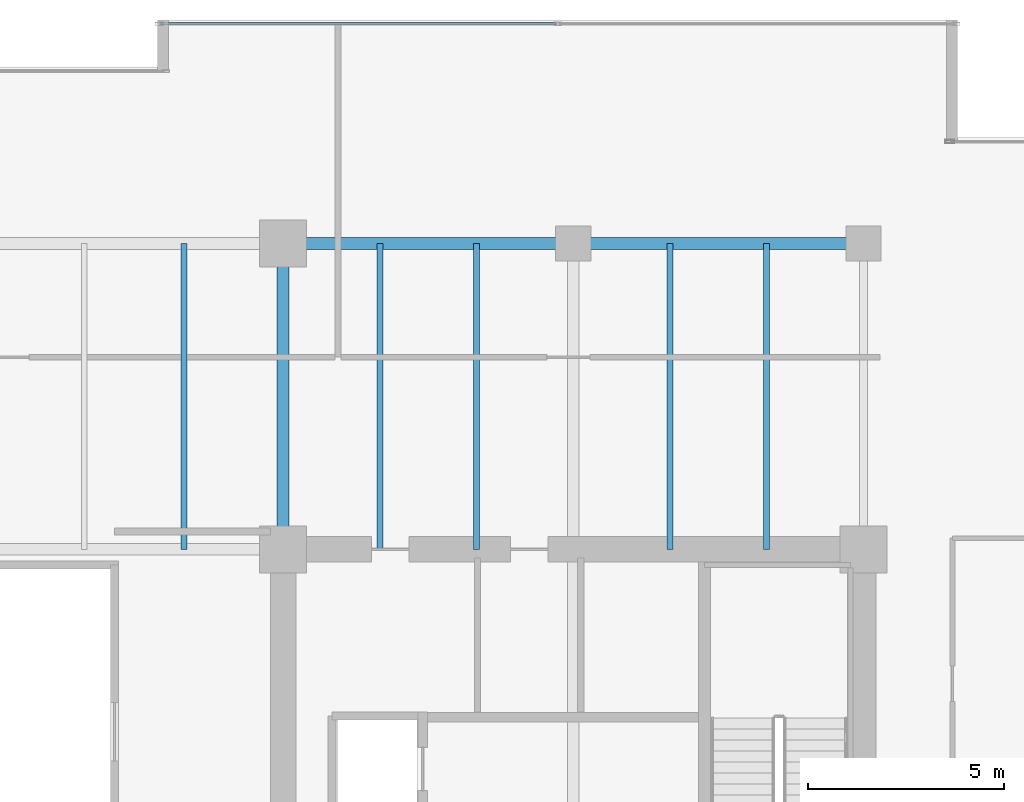
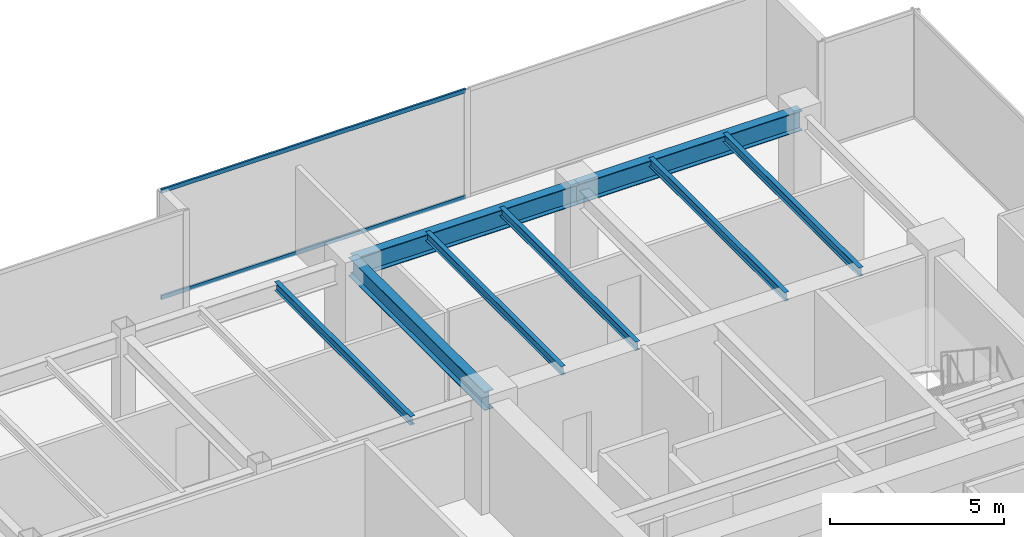
# One storey, part 19 of 30: 8 beams, 2 members, 1 element without a shape of its own.
"""IFC4 building model written with IfcOpenShell, lengths in metres."""

import ifcopenshell
import ifcopenshell.guid

model = None  # the IFC model being written
_history = None  # IfcOwnerHistory: only IFC2X3 demands one
_inside = {}  # id of a spatial element -> (the spatial element, [elements in it])
_under = {}  # id of a project, library or spatial element -> (it, [spatial elements below it])
_declared = {}  # id of a project -> (the project, [libraries it declares])
_typed = {}  # id of a type object -> (the type object, [elements of that type])
_made_of = {}  # id of a material, layer set ... -> (it, [elements and type objects made of it])


def new_model(schema):
    """Start an empty IFC model of exactly this schema.

    Asked for "IFC4X3", IfcOpenShell would pick the latest addendum, in which some entities
    have other attributes; the version numbers below select the first issue.
    IFC2X3 requires an IfcOwnerHistory on every rooted entity: one is made here for all.
    """
    global model, _history
    if schema == "IFC4X3":
        model = ifcopenshell.file(schema_version=(4, 3, 0, 0))
    else:
        model = ifcopenshell.file(schema=schema)
    _inside.clear()
    _under.clear()
    _declared.clear()
    _typed.clear()
    _made_of.clear()
    _history = None
    if model.schema == "IFC2X3":
        org = make("IfcOrganization", Name="unknown")
        user = make(
            "IfcPersonAndOrganization",
            ThePerson=make("IfcPerson", FamilyName="unknown"),
            TheOrganization=org,
        )
        app = make(
            "IfcApplication",
            ApplicationDeveloper=org,
            Version="unknown",
            ApplicationFullName="unknown",
            ApplicationIdentifier="unknown",
        )
        _history = make(
            "IfcOwnerHistory",
            OwningUser=user,
            OwningApplication=app,
            ChangeAction="ADDED",
            CreationDate=0,
        )
    return model


def make(cls, **values):
    """One entity of the class cls with the attributes given. An attribute that is None is left unset."""
    return model.create_entity(
        cls, **{name: value for name, value in values.items() if value is not None}
    )


def rooted(cls, **values):
    """An entity with a GlobalId (a new one), such as an element, a storey or a relation."""
    return make(cls, GlobalId=ifcopenshell.guid.new(), OwnerHistory=_history, **values)


def si_unit(unit_type, name, prefix=None):
    """IfcSIUnit, for example si_unit("LENGTHUNIT", "METRE", prefix="MILLI")."""
    return make("IfcSIUnit", UnitType=unit_type, Prefix=prefix, Name=name)


def assignment(units):
    """IfcUnitAssignment: the units of a project."""
    return None if units is None else make("IfcUnitAssignment", Units=units)


def point(xyz):
    """IfcCartesianPoint."""
    return None if xyz is None else make("IfcCartesianPoint", Coordinates=xyz)


def direction(xyz):
    """IfcDirection."""
    return None if xyz is None else make("IfcDirection", DirectionRatios=xyz)


def frame(location, z_axis=None, x_axis=None):
    """IfcAxis2Placement3D, a coordinate frame: its origin and axes. An axis left out is left unset."""
    return make(
        "IfcAxis2Placement3D",
        Location=point(location),
        Axis=direction(z_axis),
        RefDirection=direction(x_axis),
    )


def frame_2d(location, x_axis=None):
    """IfcAxis2Placement2D, a coordinate frame in the plane: its origin and x axis."""
    return make(
        "IfcAxis2Placement2D", Location=point(location), RefDirection=direction(x_axis)
    )


def origin():
    """The frame at (0, 0, 0) with its axes left unset."""
    return frame((0.0, 0.0, 0.0))


def origin_2d():
    """The frame at (0, 0) in the plane with its x axis left unset."""
    return frame_2d((0.0, 0.0))


def place(relative_to, where):
    """IfcLocalPlacement: puts the frame where relative to a parent placement (None: the world)."""
    return make(
        "IfcLocalPlacement", PlacementRelTo=relative_to, RelativePlacement=where
    )


def context(
    kind, dimensions, precision=None, world=None, true_north=None, identifier=None
):
    """IfcGeometricRepresentationContext, for example the 3D "Model" context."""
    return make(
        "IfcGeometricRepresentationContext",
        ContextIdentifier=identifier,
        ContextType=kind,
        CoordinateSpaceDimension=dimensions,
        Precision=precision,
        WorldCoordinateSystem=world,
        TrueNorth=true_north,
    )


def subcontext(parent, identifier, kind, view, scale=None):
    """IfcGeometricRepresentationSubContext, for example "Body" below "Model"."""
    return make(
        "IfcGeometricRepresentationSubContext",
        ContextIdentifier=identifier,
        ContextType=kind,
        ParentContext=parent,
        TargetScale=scale,
        TargetView=view,
    )


def project(units=None, contexts=None):
    """IfcProject with its units and contexts."""
    return rooted(
        "IfcProject",
        Name="project",
        RepresentationContexts=contexts,
        UnitsInContext=assignment(units),
    )


def spatial(cls, under=None, at=None, **own):
    """A site, building, storey or space (cls), placed at a placement, below another one or the project."""
    s = rooted(cls, ObjectPlacement=at, **own)
    if under is not None:
        _under.setdefault(under.id(), (under, []))[1].append(s)
    return s


def profile(cls, at=None, kind="AREA", **sizes):
    """A parametric profile (cls). Its sizes go by their IFC names, for example OverallWidth=200.0."""
    return make(cls, ProfileType=kind, Position=at, **sizes)


def hollow_rectangle(**sizes):
    """IfcRectangleHollowProfileDef."""
    return profile("IfcRectangleHollowProfileDef", **sizes)


def i_section(**sizes):
    """IfcIShapeProfileDef."""
    return profile("IfcIShapeProfileDef", **sizes)


def extrude(swept, where, along, depth):
    """IfcExtrudedAreaSolid: the profile swept, set in the frame where, extruded along a direction by depth."""
    return make(
        "IfcExtrudedAreaSolid",
        SweptArea=swept,
        Position=where,
        ExtrudedDirection=direction(along),
        Depth=depth,
    )


def shape(context_of_items, identifier, shape_type, items):
    """IfcShapeRepresentation: the items that make up one representation, for example the "Body"."""
    return make(
        "IfcShapeRepresentation",
        ContextOfItems=context_of_items,
        RepresentationIdentifier=identifier,
        RepresentationType=shape_type,
        Items=items,
    )


def source(mapping_origin, context_of_items, identifier, shape_type, items):
    """IfcRepresentationMap: a shape defined once, which mapped items show again and again."""
    return make(
        "IfcRepresentationMap",
        MappingOrigin=mapping_origin,
        MappedRepresentation=shape(context_of_items, identifier, shape_type, items),
    )


def transform(
    local_origin,
    x_axis=None,
    y_axis=None,
    z_axis=None,
    scale=None,
    scale2=None,
    scale3=None,
    uniform=True,
):
    """IfcCartesianTransformationOperator3D, or its non-uniform kind. x_axis, y_axis, z_axis: its Axis1, 2, 3."""
    if uniform:
        return make(
            "IfcCartesianTransformationOperator3D",
            Axis1=direction(x_axis),
            Axis2=direction(y_axis),
            LocalOrigin=point(local_origin),
            Scale=scale,
            Axis3=direction(z_axis),
        )
    return make(
        "IfcCartesianTransformationOperator3DnonUniform",
        Axis1=direction(x_axis),
        Axis2=direction(y_axis),
        LocalOrigin=point(local_origin),
        Scale=scale,
        Axis3=direction(z_axis),
        Scale2=scale2,
        Scale3=scale3,
    )


def mapped(mapping_source, mapping_target):
    """IfcMappedItem: shows the shape of a source again, moved by a transform."""
    return make(
        "IfcMappedItem", MappingSource=mapping_source, MappingTarget=mapping_target
    )


def material(Name=None, Category=None):
    """IfcMaterial."""
    return make("IfcMaterial", Name=Name, Category=Category)


def layer(
    of_material, thickness, ventilated=None, Name=None, Category=None, Priority=None
):
    """IfcMaterialLayer: one layer of a wall or slab, of a material (None: an air gap)."""
    return make(
        "IfcMaterialLayer",
        Material=of_material,
        LayerThickness=thickness,
        IsVentilated=ventilated,
        Name=Name,
        Category=Category,
        Priority=Priority,
    )


def layer_set(layers, Name=None):
    """IfcMaterialLayerSet."""
    return make("IfcMaterialLayerSet", MaterialLayers=layers, LayerSetName=Name)


def material_profile(
    of_material, cross_section, Name=None, Category=None, Priority=None
):
    """IfcMaterialProfile: a cross section and its material."""
    return make(
        "IfcMaterialProfile",
        Name=Name,
        Material=of_material,
        Profile=cross_section,
        Priority=Priority,
        Category=Category,
    )


def profile_set(profiles, Name=None, composite=None):
    """IfcMaterialProfileSet."""
    return make(
        "IfcMaterialProfileSet",
        Name=Name,
        MaterialProfiles=profiles,
        CompositeProfile=composite,
    )


def made_of(thing, what):
    """Note that an element or type object is made of a material, layer set ...; save() writes the relation."""
    if what is not None:
        _made_of.setdefault(what.id(), (what, []))[1].append(thing)
    return thing


def type_object(cls, material=None, **own):
    """A type object (cls), such as IfcWallType, which elements share."""
    return made_of(rooted(cls, **own), material)


def type_shapes(of_type, sources):
    """Give a type object the sources (RepresentationMaps) that its elements show as mapped items."""
    of_type.RepresentationMaps = sources


def element(
    cls,
    number,
    at=None,
    inside=None,
    cuts=None,
    type_object=None,
    material=None,
    context=None,
    identifier="Body",
    shape_type=None,
    held_by="IfcProductDefinitionShape",
    body=None,
    shapes=None,
    **own,
):
    """One element of the class cls, such as IfcWall. Its Tag is "e" and its number.

    at: its placement. inside: the storey or other place that contains it. cuts: it is an
    opening in that element (IfcRelVoidsElement). A single representation is given by context,
    identifier, shape_type and body (its items); several are given by shapes. held_by: the class
    of the entity that holds the representations. save() writes the other relations.
    """
    e = rooted(cls, Tag="e%d" % number, ObjectPlacement=at, **own)
    if body is not None:
        shapes = [shape(context, identifier, shape_type, body)]
    if shapes is not None:
        e.Representation = make(held_by, Representations=shapes)
    if inside is not None:
        _inside.setdefault(inside.id(), (inside, []))[1].append(e)
    if cuts is not None:
        rooted(
            "IfcRelVoidsElement", RelatingBuildingElement=cuts, RelatedOpeningElement=e
        )
    if type_object is not None:
        _typed.setdefault(type_object.id(), (type_object, []))[1].append(e)
    return made_of(e, material)


def aggregate(whole, parts):
    """IfcRelAggregates: a whole, such as a stair, and the parts it consists of."""
    return rooted("IfcRelAggregates", RelatingObject=whole, RelatedObjects=parts)


def save(model, path):
    """Write the relations noted so far, then the file.

    IfcRelAggregates (storeys below a building ...), IfcRelContainedInSpatialStructure (elements
    in a storey), IfcRelDefinesByType, IfcRelAssociatesMaterial and IfcRelDeclares: one each for
    every whole, place, type object, material and project.
    """
    for whole, parts in _under.values():
        aggregate(whole, parts)
    for where, things in _inside.values():
        rooted(
            "IfcRelContainedInSpatialStructure",
            RelatedElements=things,
            RelatingStructure=where,
        )
    for kind, things in _typed.values():
        rooted("IfcRelDefinesByType", RelatedObjects=things, RelatingType=kind)
    for what, things in _made_of.values():
        rooted("IfcRelAssociatesMaterial", RelatedObjects=things, RelatingMaterial=what)
    for by, libraries in _declared.values():
        rooted("IfcRelDeclares", RelatingContext=by, RelatedDefinitions=libraries)
    model.write(path)


model = new_model("IFC4")

# Units and contexts
model_context = context("Model", 3, precision=1e-05, world=origin(), true_north=direction((0.0, 1.0)))
body_context = subcontext(model_context, "Body", "Model", "MODEL_VIEW")
ifc_project = project(units=[si_unit("LENGTHUNIT", "METRE"), si_unit("AREAUNIT", "SQUARE_METRE"), si_unit("VOLUMEUNIT", "CUBIC_METRE"), si_unit("PLANEANGLEUNIT", "RADIAN"), si_unit("MASSUNIT", "GRAM", prefix="KILO")], contexts=[model_context])

# Site, building, storey
site_placement = place(None, origin())
site = spatial("IfcSite", under=ifc_project, at=site_placement, CompositionType="ELEMENT")
building_placement = place(site_placement, origin())
building = spatial("IfcBuilding", under=site, at=building_placement, Name="Haelvirn Gate Laboratories", CompositionType="ELEMENT")
storey_placement = place(building_placement, frame((0.0, 0.0, 142.0)))
storey = spatial("IfcBuildingStorey", under=building, at=storey_placement, Name="L34", CompositionType="ELEMENT", Elevation=142.0)

# Beams
ifc_material_1 = material(Name="Steel SM355", Category="steel")
ifc_material_profile_1 = material_profile(ifc_material_1, i_section(OverallWidth=0.300048828125, OverallDepth=0.64990234375, WebThickness=0.012939453125, FlangeThickness=0.02197265625, at=origin_2d()), Name="H-650x300x13x22")
ifc_profile_set_1 = profile_set([ifc_material_profile_1], Name="Steel SM355")
beam_type_1 = type_object("IfcBeamType", Name="BM-G-650", PredefinedType="BEAM", material=ifc_profile_set_1)
shared_shape_1 = source(origin(), body_context, "Body", "SweptSolid", [
    extrude(i_section(OverallWidth=0.300048828125, OverallDepth=0.64990234375, WebThickness=0.012939453125, FlangeThickness=0.02197265625, at=origin_2d()), origin(), (0.0, 0.0, 1.0), 7.800048828125),
])
type_shapes(beam_type_1, [shared_shape_1])
beam_placement = place(storey_placement, frame((52.60009765625, 33.800048828125, 3.465087890625), z_axis=(0.0, 1.0, 0.0), x_axis=(-1.0, 0.0, 0.0)))
element("IfcBeam", 1, at=beam_placement, inside=storey, type_object=beam_type_1, Name="L34 Frame Girder X52.6 (33.8-41.6)", PredefinedType="BEAM", context=body_context, shape_type="MappedRepresentation", body=[
    mapped(shared_shape_1, transform((0.0, 0.0, 0.0), scale=1.0)),
])
ifc_material_profile_2 = material_profile(ifc_material_1, i_section(OverallWidth=0.300048828125, OverallDepth=0.699951171875, WebThickness=0.012939453125, FlangeThickness=0.02392578125, at=origin_2d()), Name="H-700x300x13x24")
ifc_profile_set_2 = profile_set([ifc_material_profile_2], Name="Steel SM355")
beam_type_2 = type_object("IfcBeamType", Name="BM-G-700", PredefinedType="BEAM", material=ifc_profile_set_2)
shared_shape_2 = source(origin(), body_context, "Body", "SweptSolid", [
    extrude(i_section(OverallWidth=0.300048828125, OverallDepth=0.699951171875, WebThickness=0.012939453125, FlangeThickness=0.02392578125, at=origin_2d()), origin(), (0.0, 0.0, 1.0), 7.39990234375),
])
type_shapes(beam_type_2, [shared_shape_2])
for number, where, z_axis, x_axis, name in (
    (2, (52.60009765625, 41.60009765625, 3.43994140625), (1.0, 0.0, 0.0), (0.0, 1.0, 0.0), "L34 Primary Girder Y41.6 (52.6-60.0)"),
    (3, (60.0, 41.60009765625, 3.43994140625), (1.0, 0.0, 0.0), (0.0, 1.0, 0.0), "L34 Primary Girder Y41.6 (60.0-67.4)"),
):
    element("IfcBeam", number, at=place(storey_placement, frame(where, z_axis=z_axis, x_axis=x_axis)), inside=storey, type_object=beam_type_2, Name=name, PredefinedType="BEAM", context=body_context, shape_type="MappedRepresentation", body=[
        mapped(shared_shape_2, transform((0.0, 0.0, 0.0), scale=1.0)),
    ])
ifc_material_profile_3 = material_profile(ifc_material_1, i_section(OverallWidth=0.14990234375, OverallDepth=0.300048828125, WebThickness=0.006591796875, FlangeThickness=0.009033203125, at=origin_2d()), Name="H-300x150x6.5x9")
ifc_profile_set_3 = profile_set([ifc_material_profile_3], Name="Steel SM355")
beam_type_3 = type_object("IfcBeamType", Name="BM-J-300", PredefinedType="JOIST", material=ifc_profile_set_3)
shared_shape_3 = source(origin(), body_context, "Body", "SweptSolid", [
    extrude(i_section(OverallWidth=0.14990234375, OverallDepth=0.300048828125, WebThickness=0.006591796875, FlangeThickness=0.009033203125, at=origin_2d()), origin(), (0.0, 0.0, 1.0), 7.800048828125),
])
type_shapes(beam_type_3, [shared_shape_3])
for number, where, z_axis, x_axis, name in (
    (4, (50.070068359375, 33.800048828125, 3.639892578125), (0.0, 1.0, 0.0), (-1.0, 0.0, 0.0), "L34 Composite Lab Joist North X50.07"),
    (5, (55.070068359375, 33.800048828125, 3.639892578125), (0.0, 1.0, 0.0), (-1.0, 0.0, 0.0), "L34 Composite Lab Joist North X55.07"),
    (6, (57.530029296875, 33.800048828125, 3.639892578125), (0.0, 1.0, 0.0), (-1.0, 0.0, 0.0), "L34 Composite Lab Joist North X57.53"),
    (7, (62.469970703125, 33.800048828125, 3.639892578125), (0.0, 1.0, 0.0), (-1.0, 0.0, 0.0), "L34 Composite Lab Joist North X62.47"),
    (8, (64.929931640625, 33.800048828125, 3.639892578125), (0.0, 1.0, 0.0), (-1.0, 0.0, 0.0), "L34 Composite Lab Joist North X64.93"),
):
    element("IfcBeam", number, at=place(storey_placement, frame(where, z_axis=z_axis, x_axis=x_axis)), inside=storey, type_object=beam_type_3, Name=name, PredefinedType="JOIST", context=body_context, shape_type="MappedRepresentation", body=[
        mapped(shared_shape_3, transform((0.0, 0.0, 0.0), scale=1.0)),
    ])

# Curtain wall, members
ifc_material_2 = material(Name="Anodised bronze unitised aluminium & triple low-E glass", Category="aluminium")
ifc_layer = layer(ifc_material_2, 0.179931640625, Name="CW-SYS-3")
ifc_layer_set = layer_set([ifc_layer], Name="Anodised bronze unitised aluminium & triple low-E glass")
curtain_wall_type = type_object("IfcCurtainWallType", Name="CW-SYS-3", PredefinedType="NOTDEFINED", material=ifc_layer_set)
curtain_wall_placement = place(storey_placement, origin())
curtain_wall = element("IfcCurtainWall", 9, at=curtain_wall_placement, inside=storey, type_object=curtain_wall_type, Name="L34 Unitised Curtain Wall CW-L34-P0-E10-1", PredefinedType="NOTDEFINED")
ifc_material_3 = material(Name="Extruded aluminium 6063-T6 (anodised bronze)", Category="aluminium")
ifc_material_profile_4 = material_profile(ifc_material_3, hollow_rectangle(XDim=0.06494140625, YDim=0.139892578125, WallThickness=0.00390625, at=origin_2d()), Name="CWT-140x65x4")
ifc_profile_set_4 = profile_set([ifc_material_profile_4], Name="Extruded aluminium 6063-T6 (anodised bronze)")
member_type = type_object("IfcMemberType", Name="CWT-T140", PredefinedType="USERDEFINED", material=ifc_profile_set_4)
shared_shape_4 = source(origin(), body_context, "Body", "SweptSolid", [
    extrude(hollow_rectangle(XDim=0.06494140625, YDim=0.139892578125, WallThickness=0.00390625, at=origin_2d()), origin(), (0.0, 0.0, 1.0), 10.08740234375),
])
type_shapes(member_type, [shared_shape_4])
member_1_placement = place(storey_placement, frame((49.47509765625, 47.199951171875, 0.032470703125), z_axis=(1.0, 0.0, 0.0), x_axis=(0.0, 1.0, 0.0)))
member_1 = element("IfcMember", 10, at=member_1_placement, type_object=member_type, Name="CW3 transom 1.1", ObjectType="TRANSOM", PredefinedType="USERDEFINED", context=body_context, shape_type="MappedRepresentation", body=[
    mapped(shared_shape_4, transform((0.0, 0.0, 0.0), scale=1.0)),
])
member_2_placement = place(storey_placement, frame((49.47509765625, 47.199951171875, 3.757568359375), z_axis=(1.0, 0.0, 0.0), x_axis=(0.0, 1.0, 0.0)))
member_2 = element("IfcMember", 11, at=member_2_placement, type_object=member_type, Name="CW3 transom 1.2", ObjectType="TRANSOM", PredefinedType="USERDEFINED", context=body_context, shape_type="MappedRepresentation", body=[
    mapped(shared_shape_4, transform((0.0, 0.0, 0.0), scale=1.0)),
])
aggregate(curtain_wall, [member_1, member_2])

save(model, "model.ifc")
